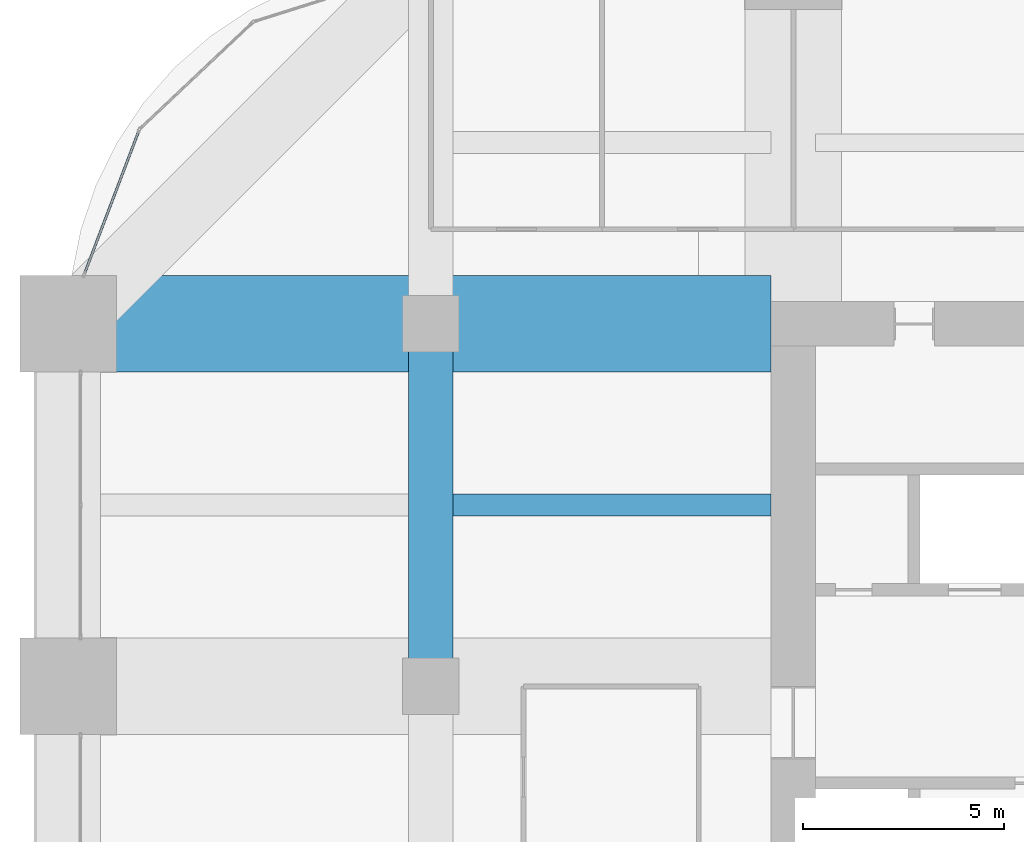
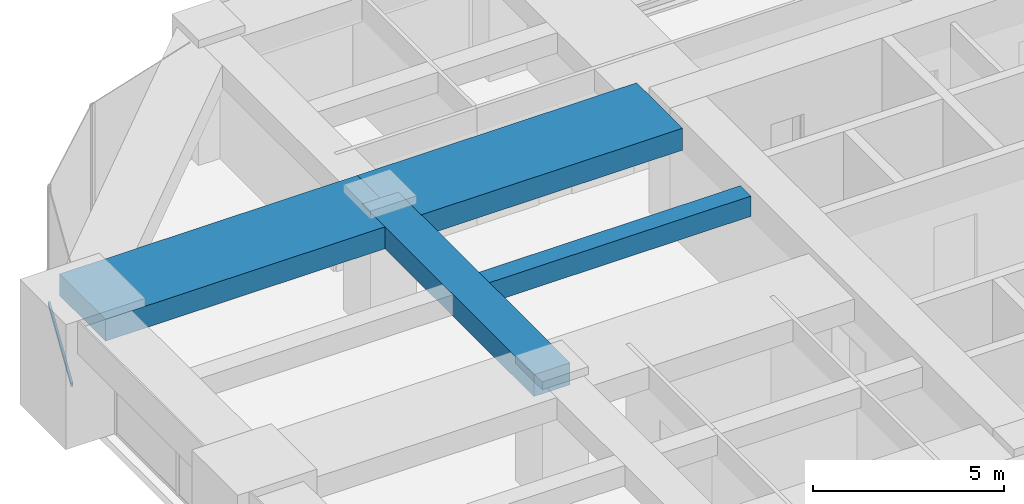
# One storey, part 20 of 34: 4 beams, 1 member, 1 element without a shape of its own.
"""IFC4 building model written with IfcOpenShell, lengths in metres."""

import ifcopenshell
import ifcopenshell.guid

model = None  # the IFC model being written
_history = None  # IfcOwnerHistory: only IFC2X3 demands one
_inside = {}  # id of a spatial element -> (the spatial element, [elements in it])
_under = {}  # id of a project, library or spatial element -> (it, [spatial elements below it])
_declared = {}  # id of a project -> (the project, [libraries it declares])
_typed = {}  # id of a type object -> (the type object, [elements of that type])
_made_of = {}  # id of a material, layer set ... -> (it, [elements and type objects made of it])


def new_model(schema):
    """Start an empty IFC model of exactly this schema.

    Asked for "IFC4X3", IfcOpenShell would pick the latest addendum, in which some entities
    have other attributes; the version numbers below select the first issue.
    IFC2X3 requires an IfcOwnerHistory on every rooted entity: one is made here for all.
    """
    global model, _history
    if schema == "IFC4X3":
        model = ifcopenshell.file(schema_version=(4, 3, 0, 0))
    else:
        model = ifcopenshell.file(schema=schema)
    _inside.clear()
    _under.clear()
    _declared.clear()
    _typed.clear()
    _made_of.clear()
    _history = None
    if model.schema == "IFC2X3":
        org = make("IfcOrganization", Name="unknown")
        user = make(
            "IfcPersonAndOrganization",
            ThePerson=make("IfcPerson", FamilyName="unknown"),
            TheOrganization=org,
        )
        app = make(
            "IfcApplication",
            ApplicationDeveloper=org,
            Version="unknown",
            ApplicationFullName="unknown",
            ApplicationIdentifier="unknown",
        )
        _history = make(
            "IfcOwnerHistory",
            OwningUser=user,
            OwningApplication=app,
            ChangeAction="ADDED",
            CreationDate=0,
        )
    return model


def make(cls, **values):
    """One entity of the class cls with the attributes given. An attribute that is None is left unset."""
    return model.create_entity(
        cls, **{name: value for name, value in values.items() if value is not None}
    )


def rooted(cls, **values):
    """An entity with a GlobalId (a new one), such as an element, a storey or a relation."""
    return make(cls, GlobalId=ifcopenshell.guid.new(), OwnerHistory=_history, **values)


def si_unit(unit_type, name, prefix=None):
    """IfcSIUnit, for example si_unit("LENGTHUNIT", "METRE", prefix="MILLI")."""
    return make("IfcSIUnit", UnitType=unit_type, Prefix=prefix, Name=name)


def assignment(units):
    """IfcUnitAssignment: the units of a project."""
    return None if units is None else make("IfcUnitAssignment", Units=units)


def point(xyz):
    """IfcCartesianPoint."""
    return None if xyz is None else make("IfcCartesianPoint", Coordinates=xyz)


def direction(xyz):
    """IfcDirection."""
    return None if xyz is None else make("IfcDirection", DirectionRatios=xyz)


def frame(location, z_axis=None, x_axis=None):
    """IfcAxis2Placement3D, a coordinate frame: its origin and axes. An axis left out is left unset."""
    return make(
        "IfcAxis2Placement3D",
        Location=point(location),
        Axis=direction(z_axis),
        RefDirection=direction(x_axis),
    )


def frame_2d(location, x_axis=None):
    """IfcAxis2Placement2D, a coordinate frame in the plane: its origin and x axis."""
    return make(
        "IfcAxis2Placement2D", Location=point(location), RefDirection=direction(x_axis)
    )


def origin():
    """The frame at (0, 0, 0) with its axes left unset."""
    return frame((0.0, 0.0, 0.0))


def origin_2d():
    """The frame at (0, 0) in the plane with its x axis left unset."""
    return frame_2d((0.0, 0.0))


def place(relative_to, where):
    """IfcLocalPlacement: puts the frame where relative to a parent placement (None: the world)."""
    return make(
        "IfcLocalPlacement", PlacementRelTo=relative_to, RelativePlacement=where
    )


def context(
    kind, dimensions, precision=None, world=None, true_north=None, identifier=None
):
    """IfcGeometricRepresentationContext, for example the 3D "Model" context."""
    return make(
        "IfcGeometricRepresentationContext",
        ContextIdentifier=identifier,
        ContextType=kind,
        CoordinateSpaceDimension=dimensions,
        Precision=precision,
        WorldCoordinateSystem=world,
        TrueNorth=true_north,
    )


def subcontext(parent, identifier, kind, view, scale=None):
    """IfcGeometricRepresentationSubContext, for example "Body" below "Model"."""
    return make(
        "IfcGeometricRepresentationSubContext",
        ContextIdentifier=identifier,
        ContextType=kind,
        ParentContext=parent,
        TargetScale=scale,
        TargetView=view,
    )


def project(units=None, contexts=None):
    """IfcProject with its units and contexts."""
    return rooted(
        "IfcProject",
        Name="project",
        RepresentationContexts=contexts,
        UnitsInContext=assignment(units),
    )


def spatial(cls, under=None, at=None, **own):
    """A site, building, storey or space (cls), placed at a placement, below another one or the project."""
    s = rooted(cls, ObjectPlacement=at, **own)
    if under is not None:
        _under.setdefault(under.id(), (under, []))[1].append(s)
    return s


def profile(cls, at=None, kind="AREA", **sizes):
    """A parametric profile (cls). Its sizes go by their IFC names, for example OverallWidth=200.0."""
    return make(cls, ProfileType=kind, Position=at, **sizes)


def rectangle(**sizes):
    """IfcRectangleProfileDef."""
    return profile("IfcRectangleProfileDef", **sizes)


def hollow_rectangle(**sizes):
    """IfcRectangleHollowProfileDef."""
    return profile("IfcRectangleHollowProfileDef", **sizes)


def extrude(swept, where, along, depth):
    """IfcExtrudedAreaSolid: the profile swept, set in the frame where, extruded along a direction by depth."""
    return make(
        "IfcExtrudedAreaSolid",
        SweptArea=swept,
        Position=where,
        ExtrudedDirection=direction(along),
        Depth=depth,
    )


def shape(context_of_items, identifier, shape_type, items):
    """IfcShapeRepresentation: the items that make up one representation, for example the "Body"."""
    return make(
        "IfcShapeRepresentation",
        ContextOfItems=context_of_items,
        RepresentationIdentifier=identifier,
        RepresentationType=shape_type,
        Items=items,
    )


def material(Name=None, Category=None):
    """IfcMaterial."""
    return make("IfcMaterial", Name=Name, Category=Category)


def material_profile(
    of_material, cross_section, Name=None, Category=None, Priority=None
):
    """IfcMaterialProfile: a cross section and its material."""
    return make(
        "IfcMaterialProfile",
        Name=Name,
        Material=of_material,
        Profile=cross_section,
        Priority=Priority,
        Category=Category,
    )


def profile_set(profiles, Name=None, composite=None):
    """IfcMaterialProfileSet."""
    return make(
        "IfcMaterialProfileSet",
        Name=Name,
        MaterialProfiles=profiles,
        CompositeProfile=composite,
    )


def made_of(thing, what):
    """Note that an element or type object is made of a material, layer set ...; save() writes the relation."""
    if what is not None:
        _made_of.setdefault(what.id(), (what, []))[1].append(thing)
    return thing


def type_object(cls, material=None, **own):
    """A type object (cls), such as IfcWallType, which elements share."""
    return made_of(rooted(cls, **own), material)


def element(
    cls,
    number,
    at=None,
    inside=None,
    cuts=None,
    type_object=None,
    material=None,
    context=None,
    identifier="Body",
    shape_type=None,
    held_by="IfcProductDefinitionShape",
    body=None,
    shapes=None,
    **own,
):
    """One element of the class cls, such as IfcWall. Its Tag is "e" and its number.

    at: its placement. inside: the storey or other place that contains it. cuts: it is an
    opening in that element (IfcRelVoidsElement). A single representation is given by context,
    identifier, shape_type and body (its items); several are given by shapes. held_by: the class
    of the entity that holds the representations. save() writes the other relations.
    """
    e = rooted(cls, Tag="e%d" % number, ObjectPlacement=at, **own)
    if body is not None:
        shapes = [shape(context, identifier, shape_type, body)]
    if shapes is not None:
        e.Representation = make(held_by, Representations=shapes)
    if inside is not None:
        _inside.setdefault(inside.id(), (inside, []))[1].append(e)
    if cuts is not None:
        rooted(
            "IfcRelVoidsElement", RelatingBuildingElement=cuts, RelatedOpeningElement=e
        )
    if type_object is not None:
        _typed.setdefault(type_object.id(), (type_object, []))[1].append(e)
    return made_of(e, material)


def aggregate(whole, parts):
    """IfcRelAggregates: a whole, such as a stair, and the parts it consists of."""
    return rooted("IfcRelAggregates", RelatingObject=whole, RelatedObjects=parts)


def save(model, path):
    """Write the relations noted so far, then the file.

    IfcRelAggregates (storeys below a building ...), IfcRelContainedInSpatialStructure (elements
    in a storey), IfcRelDefinesByType, IfcRelAssociatesMaterial and IfcRelDeclares: one each for
    every whole, place, type object, material and project.
    """
    for whole, parts in _under.values():
        aggregate(whole, parts)
    for where, things in _inside.values():
        rooted(
            "IfcRelContainedInSpatialStructure",
            RelatedElements=things,
            RelatingStructure=where,
        )
    for kind, things in _typed.values():
        rooted("IfcRelDefinesByType", RelatedObjects=things, RelatingType=kind)
    for what, things in _made_of.values():
        rooted("IfcRelAssociatesMaterial", RelatedObjects=things, RelatingMaterial=what)
    for by, libraries in _declared.values():
        rooted("IfcRelDeclares", RelatingContext=by, RelatedDefinitions=libraries)
    model.write(path)


model = new_model("IFC4")

# Units and contexts
model_context = context("Model", 3, precision=1e-05, world=origin(), true_north=direction((0.0, 1.0)))
body_context = subcontext(model_context, "Body", "Model", "MODEL_VIEW")
ifc_project = project(units=[si_unit("LENGTHUNIT", "METRE"), si_unit("AREAUNIT", "SQUARE_METRE"), si_unit("VOLUMEUNIT", "CUBIC_METRE"), si_unit("PLANEANGLEUNIT", "RADIAN"), si_unit("MASSUNIT", "GRAM", prefix="KILO")], contexts=[model_context])

# Site, building, storey
site_placement = place(None, origin())
site = spatial("IfcSite", under=ifc_project, at=site_placement, CompositionType="ELEMENT")
building_placement = place(site_placement, origin())
building = spatial("IfcBuilding", under=site, at=building_placement, Name="Zorevar Civic Tower", CompositionType="ELEMENT")
storey_placement = place(building_placement, frame((0.0, 0.0, 226.199951171875)))
storey = spatial("IfcBuildingStorey", under=building, at=storey_placement, Name="L55", CompositionType="ELEMENT", Elevation=226.199951171875)

# Beams
ifc_material_1 = material(Name="Concrete C50/60", Category="concrete")
ifc_material_profile_1 = material_profile(ifc_material_1, rectangle(XDim=1.10009765625, YDim=0.699951171875, at=origin_2d()), Name="RC 1100x700")
ifc_profile_set_1 = profile_set([ifc_material_profile_1], Name="Concrete C50/60")
beam_type_1 = type_object("IfcBeamType", Name="Beam RC 1100x700", PredefinedType="BEAM", material=ifc_profile_set_1)
beam_1_placement = place(storey_placement, frame((9.0, 27.0, 3.400146484375), z_axis=(0.0, 1.0, 0.0), x_axis=(-1.0, 0.0, 0.0)))
element("IfcBeam", 1, at=beam_1_placement, inside=storey, type_object=beam_type_1, Name="Girder L56", PredefinedType="BEAM", context=body_context, shape_type="SweptSolid", body=[
    extrude(rectangle(XDim=1.10009765625, YDim=0.699951171875, at=origin_2d()), origin(), (0.0, 0.0, 1.0), 9.0),
])
ifc_material_2 = material(Name="Concrete C50/60", Category="concrete")
ifc_material_profile_2 = material_profile(ifc_material_2, rectangle(XDim=2.39990234375, YDim=0.699951171875, at=origin_2d()), Name="RC 2400x700")
ifc_profile_set_2 = profile_set([ifc_material_profile_2], Name="Concrete C50/60")
beam_type_2 = type_object("IfcBeamType", Name="Beam RC 2400x700", PredefinedType="BEAM", material=ifc_profile_set_2)
beam_2_placement = place(storey_placement, frame((0.0, 36.0, 3.400146484375), z_axis=(1.0, 0.0, 0.0), x_axis=(0.0, 1.0, 0.0)))
element("IfcBeam", 2, at=beam_2_placement, inside=storey, type_object=beam_type_2, Name="Girder L56", PredefinedType="BEAM", context=body_context, shape_type="SweptSolid", body=[
    extrude(rectangle(XDim=2.39990234375, YDim=0.699951171875, at=origin_2d()), origin(), (0.0, 0.0, 1.0), 9.0),
])
beam_3_placement = place(storey_placement, frame((9.0, 36.0, 3.400146484375), z_axis=(1.0, 0.0, 0.0), x_axis=(0.0, 1.0, 0.0)))
element("IfcBeam", 3, at=beam_3_placement, inside=storey, type_object=beam_type_2, Name="Girder L56", PredefinedType="BEAM", context=body_context, shape_type="SweptSolid", body=[
    extrude(rectangle(XDim=2.39990234375, YDim=0.699951171875, at=origin_2d()), origin(), (0.0, 0.0, 1.0), 8.449951171875),
])
ifc_material_3 = material(Name="Concrete C50/60", Category="concrete")
ifc_material_profile_3 = material_profile(ifc_material_3, rectangle(XDim=0.550048828125, YDim=0.64990234375, at=origin_2d()), Name="RC 550x650")
ifc_profile_set_3 = profile_set([ifc_material_profile_3], Name="Concrete C50/60")
beam_type_3 = type_object("IfcBeamType", Name="Beam RC 550x650", PredefinedType="BEAM", material=ifc_profile_set_3)
beam_4_placement = place(storey_placement, frame((9.550048828125, 31.5, 3.425048828125), z_axis=(1.0, 0.0, 0.0), x_axis=(0.0, 1.0, 0.0)))
element("IfcBeam", 4, at=beam_4_placement, inside=storey, type_object=beam_type_3, Name="Secondary beam L56", PredefinedType="BEAM", context=body_context, shape_type="SweptSolid", body=[
    extrude(rectangle(XDim=0.550048828125, YDim=0.64990234375, at=origin_2d()), origin(), (0.0, 0.0, 1.0), 7.89990234375),
])

# Curtain wall, member
ifc_material_4 = material(Name="Dark grey solar-control glass in black aluminium frame", Category="aluminium")
curtain_wall_type = type_object("IfcCurtainWallType", Name="Curtain wall CW4 high zone", PredefinedType="NOTDEFINED", material=ifc_material_4)
curtain_wall_placement = place(storey_placement, origin())
curtain_wall = element("IfcCurtainWall", 5, at=curtain_wall_placement, inside=storey, type_object=curtain_wall_type, Name="CW4 L55", PredefinedType="NOTDEFINED")
ifc_material_5 = material(Name="Aluminium, black anodised", Category="aluminium")
ifc_material_profile_4 = material_profile(ifc_material_5, hollow_rectangle(XDim=0.06005859375, YDim=0.1201171875, WallThickness=0.0029296875, at=origin_2d()), Name="AL 120x60x3")
ifc_profile_set_4 = profile_set([ifc_material_profile_4], Name="Aluminium, black anodised")
member_type = type_object("IfcMemberType", Name="CW4 transom AL 120x60x3", PredefinedType="USERDEFINED", material=ifc_profile_set_4)
member_placement = place(storey_placement, frame((1.74462890625, 40.77685546875, 0.030029296875), z_axis=(-0.355728511406, -0.934589335576, 0.0), x_axis=(0.934589335576, -0.355728511406, 0.0)))
member = element("IfcMember", 6, at=member_placement, type_object=member_type, Name="CW4 sill transom", ObjectType="TRANSOM", PredefinedType="USERDEFINED", context=body_context, shape_type="SweptSolid", body=[
    extrude(hollow_rectangle(XDim=0.06005859375, YDim=0.1201171875, WallThickness=0.0029296875, at=origin_2d()), origin(), (0.0, 0.0, 1.0), 3.76708984375),
])
aggregate(curtain_wall, [member])

save(model, "model.ifc")
